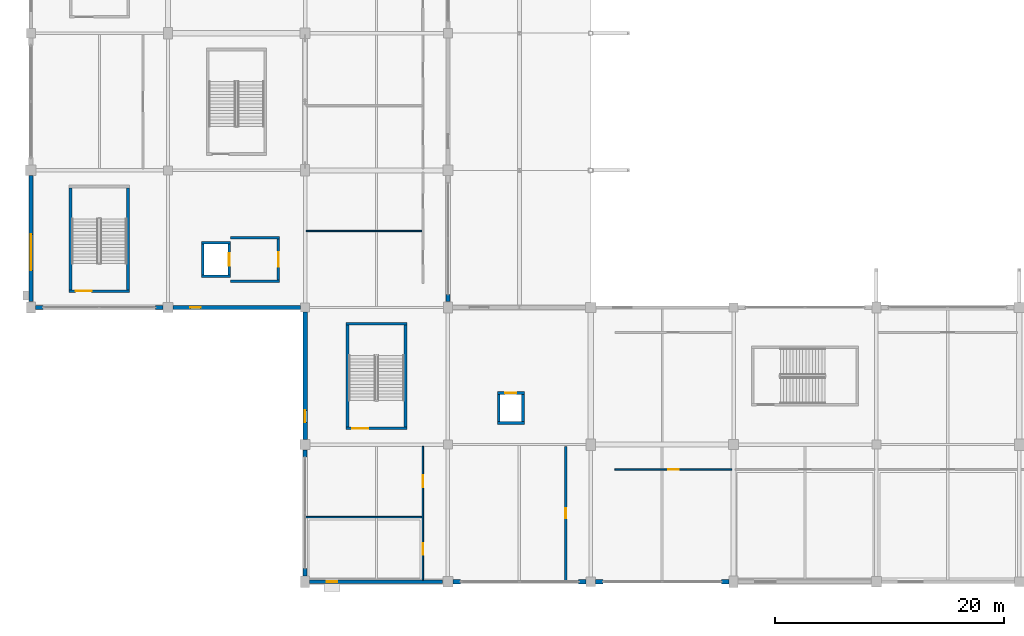
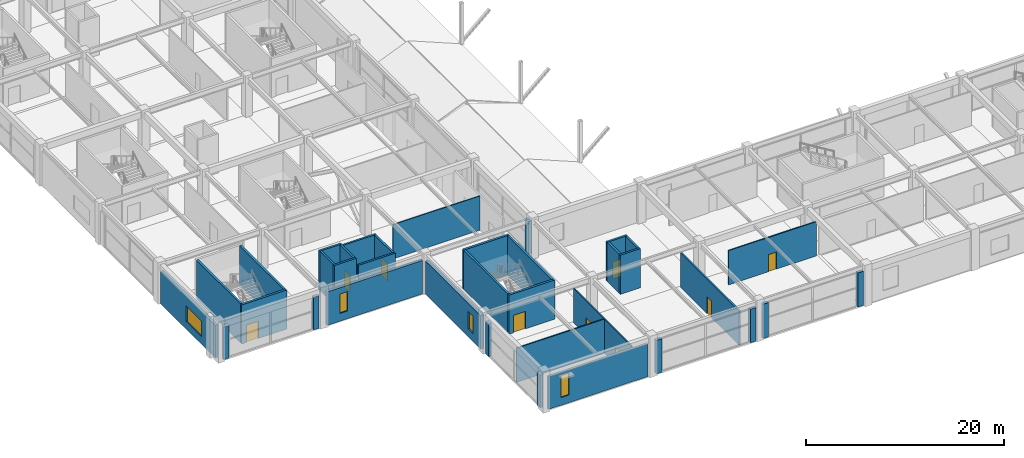
# One storey, part 66 of 116: 36 walls, 9 doors, 4 windows, 13 openings.
"""IFC4 building model written with IfcOpenShell, lengths in metres."""

from ifc_helpers import new_model, si_unit, direction, frame, frame_2d, origin, place, context, subcontext, project, spatial, rectangle, extrude, material, layer, layer_set, type_object, element, fill, save


model = new_model("IFC4")

# Units and contexts
model_context = context("Model", 3, precision=1e-05, world=origin(), true_north=direction((0.0, 1.0)))
body_context = subcontext(model_context, "Body", "Model", "MODEL_VIEW")
ifc_project = project(units=[si_unit("LENGTHUNIT", "METRE"), si_unit("AREAUNIT", "SQUARE_METRE"), si_unit("VOLUMEUNIT", "CUBIC_METRE"), si_unit("PLANEANGLEUNIT", "RADIAN"), si_unit("MASSUNIT", "GRAM", prefix="KILO")], contexts=[model_context])

# Site, building, storey
site_placement = place(None, origin())
site = spatial("IfcSite", under=ifc_project, at=site_placement, CompositionType="ELEMENT")
building_placement = place(site_placement, origin())
building = spatial("IfcBuilding", under=site, at=building_placement, Name="Kazenohara Klinker Stadium", CompositionType="ELEMENT")
storey_placement = place(building_placement, frame((0.0, 0.0, 10.199951171875)))
storey = spatial("IfcBuildingStorey", under=building, at=storey_placement, Name="L02", CompositionType="ELEMENT", Elevation=10.199951171875)

# Walls
ifc_material_1 = material(Name="Concrete C40/50", Category="concrete")
ifc_layer_1 = layer(ifc_material_1, 0.22998046875)
ifc_layer_set_1 = layer_set([ifc_layer_1], Name="Concrete C40/50")
wall_type_1 = type_object("IfcWallType", Name="WAL-CORE-230", PredefinedType="SHEAR", material=ifc_layer_set_1)
for number, where, z_axis, x_axis, name in (
    (1, (14.919921875, 38.735107421875, 0.0), (0.0, 0.0, 1.0), (1.0, 0.0, 0.0), "Elevator shaft wall LF01 L02 South"),
    (2, (14.919921875, 41.6650390625, 0.0), (0.0, 0.0, 1.0), (1.0, 0.0, 0.0), "Elevator shaft wall LF01 L02 North"),
):
    element("IfcWall", number, at=place(storey_placement, frame(where, z_axis=z_axis, x_axis=x_axis)), inside=storey, type_object=wall_type_1, Name=name, PredefinedType="SHEAR", context=body_context, shape_type="SweptSolid", body=[
        extrude(rectangle(XDim=2.56005859375, YDim=0.22998046875, at=frame_2d((1.280029296875, 0.0))), origin(), (0.0, 0.0, 1.0), 4.820068359375),
    ])
wall_1_placement = place(storey_placement, frame((15.034912109375, 38.85009765625, 0.0), z_axis=(0.0, 0.0, 1.0), x_axis=(0.0, 1.0, 0.0)))
element("IfcWall", 3, at=wall_1_placement, inside=storey, type_object=wall_type_1, Name="Elevator shaft wall LF01 L02 West", PredefinedType="SHEAR", context=body_context, shape_type="SweptSolid", body=[
    extrude(rectangle(XDim=2.699951171875, YDim=0.22998046875, at=frame_2d((1.35009765625, 0.0))), origin(), (0.0, 0.0, 1.0), 4.820068359375),
])

# Wall, opening, door
wall_2_placement = place(storey_placement, frame((17.364990234375, 38.85009765625, 0.0), z_axis=(0.0, 0.0, 1.0), x_axis=(0.0, 1.0, 0.0)))
wall_2 = element("IfcWall", 4, at=wall_2_placement, inside=storey, type_object=wall_type_1, Name="Elevator shaft wall LF01 L02 East", PredefinedType="SHEAR", context=body_context, shape_type="SweptSolid", body=[
    extrude(rectangle(XDim=2.699951171875, YDim=0.22998046875, at=frame_2d((1.35009765625, 0.0))), origin(), (0.0, 0.0, 1.0), 4.820068359375),
])
opening_1_placement = place(wall_2_placement, frame((0.800048828125, 0.0, 0.0)))
opening_1 = element("IfcOpeningElement", 5, at=opening_1_placement, cuts=wall_2, Name="Opening LD01", PredefinedType="OPENING", context=body_context, shape_type="SweptSolid", body=[
    extrude(rectangle(XDim=1.10009765625, YDim=2.14990234375, at=frame_2d((0.550048828125, 1.074951171875))), frame((0.0, 0.125, 0.0), z_axis=(0.0, -1.0, 0.0), x_axis=(1.0, 0.0, 0.0)), (0.0, 0.0, 1.0), 0.25),
])
ifc_material_2 = material(Name="Stainless steel fire-rated sliding landing door", Category="steel")
door_type_1 = type_object("IfcDoorType", Name="DR-LD01-1100x2150", OperationType="NOTDEFINED", PredefinedType="DOOR", material=ifc_material_2)
door_1_placement = place(opening_1_placement, origin())
door_1 = element("IfcDoor", 6, at=door_1_placement, inside=storey, type_object=door_type_1, Name="Elevator sliding landing door LF01-L02", OperationType="DOUBLE_DOOR_SLIDING", OverallHeight=2.14990234375, OverallWidth=1.10009765625, PredefinedType="DOOR", context=body_context, shape_type="SweptSolid", body=[
    extrude(rectangle(XDim=1.10009765625, YDim=2.14990234375, at=frame_2d((0.550048828125, 1.074951171875))), frame((0.0, 0.02490234375, 0.0), z_axis=(0.0, -1.0, 0.0), x_axis=(1.0, 0.0, 0.0)), (0.0, 0.0, 1.0), 0.050048828125),
])
fill(opening_1, door_1)

# Wall
wall_3_placement = place(storey_placement, frame((40.820068359375, 25.885009765625, 0.0), z_axis=(0.0, 0.0, 1.0), x_axis=(1.0, 0.0, 0.0)))
element("IfcWall", 7, at=wall_3_placement, inside=storey, type_object=wall_type_1, Name="Elevator shaft wall LP03 L02 South", PredefinedType="SHEAR", context=body_context, shape_type="SweptSolid", body=[
    extrude(rectangle(XDim=2.35986328125, YDim=0.22998046875, at=frame_2d((1.179931640625, 0.0))), origin(), (0.0, 0.0, 1.0), 4.820068359375),
])

# Wall, opening, door
wall_4_placement = place(storey_placement, frame((40.820068359375, 28.514892578125, 0.0), z_axis=(0.0, 0.0, 1.0), x_axis=(1.0, 0.0, 0.0)))
wall_4 = element("IfcWall", 8, at=wall_4_placement, inside=storey, type_object=wall_type_1, Name="Elevator shaft wall LP03 L02 North", PredefinedType="SHEAR", context=body_context, shape_type="SweptSolid", body=[
    extrude(rectangle(XDim=2.35986328125, YDim=0.22998046875, at=frame_2d((1.179931640625, 0.0))), origin(), (0.0, 0.0, 1.0), 4.820068359375),
])
opening_2_placement = place(wall_4_placement, frame((0.679931640625, 0.0, 0.0)))
opening_2 = element("IfcOpeningElement", 9, at=opening_2_placement, cuts=wall_4, Name="Opening LD02", PredefinedType="OPENING", context=body_context, shape_type="SweptSolid", body=[
    extrude(rectangle(XDim=1.0, YDim=2.14990234375, at=frame_2d((0.5, 1.074951171875))), frame((0.0, 0.125, 0.0), z_axis=(0.0, -1.0, 0.0), x_axis=(1.0, 0.0, 0.0)), (0.0, 0.0, 1.0), 0.25),
])
ifc_material_3 = material(Name="Stainless steel sliding landing door", Category="steel")
door_type_2 = type_object("IfcDoorType", Name="DR-LD02-1000x2150", OperationType="NOTDEFINED", PredefinedType="DOOR", material=ifc_material_3)
door_2_placement = place(opening_2_placement, origin())
door_2 = element("IfcDoor", 10, at=door_2_placement, inside=storey, type_object=door_type_2, Name="Elevator sliding landing door LP03-L02", OperationType="DOUBLE_DOOR_SLIDING", OverallHeight=2.14990234375, OverallWidth=1.0, PredefinedType="DOOR", context=body_context, shape_type="SweptSolid", body=[
    extrude(rectangle(XDim=1.0, YDim=2.14990234375, at=frame_2d((0.5, 1.074951171875))), frame((0.0, 0.02490234375, 0.0), z_axis=(0.0, -1.0, 0.0), x_axis=(1.0, 0.0, 0.0)), (0.0, 0.0, 1.0), 0.050048828125),
])
fill(opening_2, door_2)

# Walls
for number, where, z_axis, x_axis, name in (
    (11, (40.93505859375, 26.0, 0.0), (0.0, 0.0, 1.0), (0.0, 1.0, 0.0), "Elevator shaft wall LP03 L02 West"),
    (12, (43.06494140625, 26.0, 0.0), (0.0, 0.0, 1.0), (0.0, 1.0, 0.0), "Elevator shaft wall LP03 L02 East"),
):
    element("IfcWall", number, at=place(storey_placement, frame(where, z_axis=z_axis, x_axis=x_axis)), inside=storey, type_object=wall_type_1, Name=name, PredefinedType="SHEAR", context=body_context, shape_type="SweptSolid", body=[
        extrude(rectangle(XDim=2.39990234375, YDim=0.22998046875, at=frame_2d((1.199951171875, 0.0))), origin(), (0.0, 0.0, 1.0), 4.820068359375),
    ])

# Wall, opening, door
ifc_layer_2 = layer(ifc_material_1, 0.25)
ifc_layer_set_2 = layer_set([ifc_layer_2], Name="Concrete C40/50")
wall_type_2 = type_object("IfcWallType", Name="WAL-CORE-250", PredefinedType="SHEAR", material=ifc_layer_set_2)
wall_5_placement = place(storey_placement, frame((3.360107421875, 37.425048828125, 0.0), z_axis=(0.0, 0.0, 1.0), x_axis=(1.0, 0.0, 0.0)))
wall_5 = element("IfcWall", 13, at=wall_5_placement, inside=storey, type_object=wall_type_2, Name="Stairwell shear wall ST01 L02 South", PredefinedType="SHEAR", context=body_context, shape_type="SweptSolid", body=[
    extrude(rectangle(XDim=5.27978515625, YDim=0.25, at=frame_2d((2.639892578125, 0.0))), origin(), (0.0, 0.0, 1.0), 4.820068359375),
])
opening_3_placement = place(wall_5_placement, frame((0.550048828125, 0.0, 0.0)))
opening_3 = element("IfcOpeningElement", 14, at=opening_3_placement, cuts=wall_5, Name="Opening SD01", PredefinedType="OPENING", context=body_context, shape_type="SweptSolid", body=[
    extrude(rectangle(XDim=1.39990234375, YDim=2.14990234375, at=frame_2d((0.699951171875, 1.074951171875))), frame((0.0, 0.135009765625, 0.0), z_axis=(0.0, -1.0, 0.0), x_axis=(1.0, 0.0, 0.0)), (0.0, 0.0, 1.0), 0.27001953125),
])
ifc_material_4 = material(Name="Flush painted steel fire door leaf", Category="steel")
door_type_3 = type_object("IfcDoorType", Name="DR-STR-1400x2150", OperationType="NOTDEFINED", PredefinedType="DOOR", material=ifc_material_4)
door_3_placement = place(opening_3_placement, origin())
door_3 = element("IfcDoor", 15, at=door_3_placement, inside=storey, type_object=door_type_3, Name="Escape stairwell fire door ST01-L02", OperationType="SINGLE_SWING_RIGHT", OverallHeight=2.14990234375, OverallWidth=1.39990234375, PredefinedType="DOOR", context=body_context, shape_type="SweptSolid", body=[
    extrude(rectangle(XDim=1.39990234375, YDim=2.14990234375, at=frame_2d((0.699951171875, 1.074951171875))), frame((0.0, 0.02490234375, 0.0), z_axis=(0.0, -1.0, 0.0), x_axis=(1.0, 0.0, 0.0)), (0.0, 0.0, 1.0), 0.050048828125),
])
fill(opening_3, door_3)

# Walls
for number, where, z_axis, x_axis, name in (
    (16, (3.485107421875, 37.550048828125, 0.0), (0.0, 0.0, 1.0), (0.0, 1.0, 0.0), "Stairwell shear wall ST01 L02 West"),
    (17, (8.514892578125, 37.550048828125, 0.0), (0.0, 0.0, 1.0), (0.0, 1.0, 0.0), "Stairwell shear wall ST01 L02 East"),
):
    element("IfcWall", number, at=place(storey_placement, frame(where, z_axis=z_axis, x_axis=x_axis)), inside=storey, type_object=wall_type_2, Name=name, PredefinedType="SHEAR", context=body_context, shape_type="SweptSolid", body=[
        extrude(rectangle(XDim=8.89990234375, YDim=0.25, at=frame_2d((4.449951171875, 0.0))), origin(), (0.0, 0.0, 1.0), 4.820068359375),
    ])

# Wall, opening, door
wall_6_placement = place(storey_placement, frame((27.580078125, 25.425048828125, 0.0), z_axis=(0.0, 0.0, 1.0), x_axis=(1.0, 0.0, 0.0)))
wall_6 = element("IfcWall", 18, at=wall_6_placement, inside=storey, type_object=wall_type_2, Name="Stairwell shear wall ST07 L02 South", PredefinedType="SHEAR", context=body_context, shape_type="SweptSolid", body=[
    extrude(rectangle(XDim=5.33984375, YDim=0.25, at=frame_2d((2.669921875, 0.0))), origin(), (0.0, 0.0, 1.0), 4.820068359375),
])
opening_4_placement = place(wall_6_placement, frame((0.550048828125, 0.0, 0.0)))
opening_4 = element("IfcOpeningElement", 19, at=opening_4_placement, cuts=wall_6, Name="Opening SD01", PredefinedType="OPENING", context=body_context, shape_type="SweptSolid", body=[
    extrude(rectangle(XDim=1.39990234375, YDim=2.14990234375, at=frame_2d((0.699951171875, 1.074951171875))), frame((0.0, 0.135009765625, 0.0), z_axis=(0.0, -1.0, 0.0), x_axis=(1.0, 0.0, 0.0)), (0.0, 0.0, 1.0), 0.27001953125),
])
door_4_placement = place(opening_4_placement, origin())
door_4 = element("IfcDoor", 20, at=door_4_placement, inside=storey, type_object=door_type_3, Name="Escape stairwell fire door ST07-L02", OperationType="SINGLE_SWING_RIGHT", OverallHeight=2.14990234375, OverallWidth=1.39990234375, PredefinedType="DOOR", context=body_context, shape_type="SweptSolid", body=[
    extrude(rectangle(XDim=1.39990234375, YDim=2.14990234375, at=frame_2d((0.699951171875, 1.074951171875))), frame((0.0, 0.02490234375, 0.0), z_axis=(0.0, -1.0, 0.0), x_axis=(1.0, 0.0, 0.0)), (0.0, 0.0, 1.0), 0.050048828125),
])
fill(opening_4, door_4)

# Walls
wall_7_placement = place(storey_placement, frame((27.580078125, 34.574951171875, 0.0), z_axis=(0.0, 0.0, 1.0), x_axis=(1.0, 0.0, 0.0)))
element("IfcWall", 21, at=wall_7_placement, inside=storey, type_object=wall_type_2, Name="Stairwell shear wall ST07 L02 North", PredefinedType="SHEAR", context=body_context, shape_type="SweptSolid", body=[
    extrude(rectangle(XDim=5.33984375, YDim=0.25, at=frame_2d((2.669921875, 0.0))), origin(), (0.0, 0.0, 1.0), 4.820068359375),
])
for number, where, z_axis, x_axis, name in (
    (22, (27.705078125, 25.550048828125, 0.0), (0.0, 0.0, 1.0), (0.0, 1.0, 0.0), "Stairwell shear wall ST07 L02 West"),
    (23, (32.794921875, 25.550048828125, 0.0), (0.0, 0.0, 1.0), (0.0, 1.0, 0.0), "Stairwell shear wall ST07 L02 East"),
):
    element("IfcWall", number, at=place(storey_placement, frame(where, z_axis=z_axis, x_axis=x_axis)), inside=storey, type_object=wall_type_2, Name=name, PredefinedType="SHEAR", context=body_context, shape_type="SweptSolid", body=[
        extrude(rectangle(XDim=8.89990234375, YDim=0.25, at=frame_2d((4.449951171875, 0.0))), origin(), (0.0, 0.0, 1.0), 4.820068359375),
    ])

# Wall, opening, window
ifc_material_5 = material(Name="Clinker brick masonry", Category="masonry")
ifc_layer_3 = layer(ifc_material_5, 0.280029296875)
ifc_layer_set_3 = layer_set([ifc_layer_3], Name="Clinker brick masonry")
wall_type_3 = type_object("IfcWallType", Name="WAL-EXT-CB280", PredefinedType="SOLIDWALL", material=ifc_layer_set_3)
wall_8_placement = place(storey_placement, frame((24.404052734375, 12.0, 0.0), z_axis=(0.0, 0.0, 1.0), x_axis=(1.0, 0.0, 0.0)))
wall_8 = element("IfcWall", 24, at=wall_8_placement, inside=storey, type_object=wall_type_3, Name="Clinker brick cavity wall EW06 L02 X2-1", PredefinedType="SOLIDWALL", context=body_context, shape_type="SweptSolid", body=[
    extrude(rectangle(XDim=11.641845703125, YDim=0.280029296875, at=frame_2d((5.82080078125, 0.0))), origin(), (0.0, 0.0, 1.0), 4.02001953125),
])
opening_5_placement = place(wall_8_placement, frame((1.5, 0.0, 0.949951171875)))
opening_5 = element("IfcOpeningElement", 25, at=opening_5_placement, cuts=wall_8, Name="Opening W03", PredefinedType="OPENING", context=body_context, shape_type="SweptSolid", body=[
    extrude(rectangle(XDim=0.89990234375, YDim=2.699951171875, at=frame_2d((0.449951171875, 1.35009765625))), frame((0.0, 0.14990234375, 0.0), z_axis=(0.0, -1.0, 0.0), x_axis=(1.0, 0.0, 0.0)), (0.0, 0.0, 1.0), 0.300048828125),
])
ifc_material_6 = material(Name="Dark bronze aluminium frame and triple glazing", Category="aluminium")
window_type_1 = type_object("IfcWindowType", Name="WIN-AS-03", PartitioningType="SINGLE_PANEL", PredefinedType="WINDOW", material=ifc_material_6)
window_1_placement = place(opening_5_placement, origin())
window_1 = element("IfcWindow", 26, at=window_1_placement, inside=storey, type_object=window_type_1, Name="Horizontal-mullion ladder window W03 L02 X2-1", OverallHeight=2.699951171875, OverallWidth=0.89990234375, PartitioningType="SINGLE_PANEL", PredefinedType="WINDOW", context=body_context, shape_type="SweptSolid", body=[
    extrude(rectangle(XDim=0.89990234375, YDim=2.699951171875, at=frame_2d((0.449951171875, 1.35009765625))), frame((0.0, 0.030029296875, 0.0), z_axis=(0.0, -1.0, 0.0), x_axis=(1.0, 0.0, 0.0)), (0.0, 0.0, 1.0), 0.06005859375),
])
fill(opening_5, window_1)

ifc_layer_4 = layer(ifc_material_5, 0.340087890625)
ifc_layer_set_4 = layer_set([ifc_layer_4], Name="Clinker brick masonry")
wall_type_4 = type_object("IfcWallType", Name="WAL-EXT-CB340", PredefinedType="SOLIDWALL", material=ifc_layer_set_4)
wall_9_placement = place(storey_placement, frame((0.0, 36.50390625, 0.0), z_axis=(0.0, 0.0, 1.0), x_axis=(0.0, 1.0, 0.0)))
wall_9 = element("IfcWall", 27, at=wall_9_placement, inside=storey, type_object=wall_type_4, Name="Clinker brick cavity wall EW04 L02 Y0-3", PredefinedType="SOLIDWALL", context=body_context, shape_type="SweptSolid", body=[
    extrude(rectangle(XDim=11.0419921875, YDim=0.340087890625, at=frame_2d((5.52099609375, 0.0))), origin(), (0.0, 0.0, 1.0), 4.02001953125),
])
opening_6_placement = place(wall_9_placement, frame((2.75, 0.0, 0.949951171875)))
opening_6 = element("IfcOpeningElement", 28, at=opening_6_placement, cuts=wall_9, Name="Opening W32", PredefinedType="OPENING", context=body_context, shape_type="SweptSolid", body=[
    extrude(rectangle(XDim=3.14990234375, YDim=1.89990234375, at=frame_2d((1.574951171875, 0.949951171875))), frame((0.0, 0.18017578125, 0.0), z_axis=(0.0, -1.0, 0.0), x_axis=(1.0, 0.0, 0.0)), (0.0, 0.0, 1.0), 0.360107421875),
])
window_type_2 = type_object("IfcWindowType", Name="WIN-AS-32", PartitioningType="SINGLE_PANEL", PredefinedType="WINDOW", material=ifc_material_6)
window_2_placement = place(opening_6_placement, origin())
window_2 = element("IfcWindow", 29, at=window_2_placement, inside=storey, type_object=window_type_2, Name="Horizontal-mullion ladder window W32 L02 Y0-3", OverallHeight=1.89990234375, OverallWidth=3.14990234375, PartitioningType="SINGLE_PANEL", PredefinedType="WINDOW", context=body_context, shape_type="SweptSolid", body=[
    extrude(rectangle(XDim=3.14990234375, YDim=1.89990234375, at=frame_2d((1.574951171875, 0.949951171875))), frame((0.0, 0.030029296875, 0.0), z_axis=(0.0, -1.0, 0.0), x_axis=(1.0, 0.0, 0.0)), (0.0, 0.0, 1.0), 0.06005859375),
])
fill(opening_6, window_2)

wall_10_placement = place(storey_placement, frame((12.4541015625, 36.0, 0.0), z_axis=(0.0, 0.0, 1.0), x_axis=(1.0, 0.0, 0.0)))
wall_10 = element("IfcWall", 30, at=wall_10_placement, inside=storey, type_object=wall_type_4, Name="Clinker brick cavity wall EW04 L02 X1-3", PredefinedType="SOLIDWALL", context=body_context, shape_type="SweptSolid", body=[
    extrude(rectangle(XDim=11.141845703125, YDim=0.340087890625, at=frame_2d((5.57080078125, 0.0))), origin(), (0.0, 0.0, 1.0), 4.1201171875),
])
opening_7_placement = place(wall_10_placement, frame((1.5, 0.0, 0.949951171875)))
opening_7 = element("IfcOpeningElement", 31, at=opening_7_placement, cuts=wall_10, Name="Opening W02", PredefinedType="OPENING", context=body_context, shape_type="SweptSolid", body=[
    extrude(rectangle(XDim=0.89990234375, YDim=2.39990234375, at=frame_2d((0.449951171875, 1.199951171875))), frame((0.0, 0.18017578125, 0.0), z_axis=(0.0, -1.0, 0.0), x_axis=(1.0, 0.0, 0.0)), (0.0, 0.0, 1.0), 0.360107421875),
])
window_type_3 = type_object("IfcWindowType", Name="WIN-AS-02", PartitioningType="SINGLE_PANEL", PredefinedType="WINDOW", material=ifc_material_6)
window_3_placement = place(opening_7_placement, origin())
window_3 = element("IfcWindow", 32, at=window_3_placement, inside=storey, type_object=window_type_3, Name="Horizontal-mullion ladder window W02 L02 X1-3", OverallHeight=2.39990234375, OverallWidth=0.89990234375, PartitioningType="SINGLE_PANEL", PredefinedType="WINDOW", context=body_context, shape_type="SweptSolid", body=[
    extrude(rectangle(XDim=0.89990234375, YDim=2.39990234375, at=frame_2d((0.449951171875, 1.199951171875))), frame((0.0, 0.030029296875, 0.0), z_axis=(0.0, -1.0, 0.0), x_axis=(1.0, 0.0, 0.0)), (0.0, 0.0, 1.0), 0.06005859375),
])
fill(opening_7, window_3)

# Walls
ifc_layer_5 = layer(ifc_material_5, 0.3701171875)
ifc_layer_set_5 = layer_set([ifc_layer_5], Name="Clinker brick masonry")
wall_type_5 = type_object("IfcWallType", Name="WAL-EXT-CB370", PredefinedType="SOLIDWALL", material=ifc_layer_set_5)
for number, where, z_axis, x_axis, name in (
    (33, (0.404052734375, 36.0, 0.0), (0.0, 0.0, 1.0), (1.0, 0.0, 0.0), "Clinker brick curtain-wall jamb pier L02 X0-3 A"),
    (34, (10.89599609375, 36.0, 0.0), (0.0, 0.0, 1.0), (1.0, 0.0, 0.0), "Clinker brick curtain-wall jamb pier L02 X0-3 B"),
):
    element("IfcWall", number, at=place(storey_placement, frame(where, z_axis=z_axis, x_axis=x_axis)), inside=storey, type_object=wall_type_5, Name=name, PredefinedType="SOLIDWALL", context=body_context, shape_type="SweptSolid", body=[
        extrude(rectangle(XDim=0.64990234375, YDim=0.3701171875, at=frame_2d((0.324951171875, 0.0))), origin(), (0.0, 0.0, 1.0), 4.02001953125),
    ])
wall_11_placement = place(storey_placement, frame((24.0, 12.50390625, 0.0), z_axis=(0.0, 0.0, 1.0), x_axis=(0.0, 1.0, 0.0)))
element("IfcWall", 35, at=wall_11_placement, inside=storey, type_object=wall_type_5, Name="Clinker brick curtain-wall jamb pier L02 Y2-1 A", PredefinedType="SOLIDWALL", context=body_context, shape_type="SweptSolid", body=[
    extrude(rectangle(XDim=0.650146484375, YDim=0.3701171875, at=frame_2d((0.3251953125, 0.0))), origin(), (0.0, 0.0, 1.0), 4.02001953125),
])
wall_12_placement = place(storey_placement, frame((24.0, 22.89599609375, 0.0), z_axis=(0.0, 0.0, 1.0), x_axis=(0.0, 1.0, 0.0)))
element("IfcWall", 36, at=wall_12_placement, inside=storey, type_object=wall_type_5, Name="Clinker brick curtain-wall jamb pier L02 Y2-1 B", PredefinedType="SOLIDWALL", context=body_context, shape_type="SweptSolid", body=[
    extrude(rectangle(XDim=0.64990234375, YDim=0.3701171875, at=frame_2d((0.324951171875, 0.0))), origin(), (0.0, 0.0, 1.0), 4.02001953125),
])
wall_13_placement = place(storey_placement, frame((36.5, 36.50390625, 0.0), z_axis=(0.0, 0.0, 1.0), x_axis=(0.0, 1.0, 0.0)))
element("IfcWall", 37, at=wall_13_placement, inside=storey, type_object=wall_type_5, Name="Clinker brick curtain-wall jamb pier L02 Y3-3 A", PredefinedType="SOLIDWALL", context=body_context, shape_type="SweptSolid", body=[
    extrude(rectangle(XDim=0.650146484375, YDim=0.3701171875, at=frame_2d((0.3251953125, 0.0))), origin(), (0.0, 0.0, 1.0), 4.02001953125),
])
for number, where, z_axis, x_axis, name in (
    (38, (36.9541015625, 12.0, 0.0), (0.0, 0.0, 1.0), (1.0, 0.0, 0.0), "Clinker brick curtain-wall jamb pier L02 X3-1 A"),
    (39, (47.946044921875, 12.0, 0.0), (0.0, 0.0, 1.0), (1.0, 0.0, 0.0), "Clinker brick curtain-wall jamb pier L02 X3-1 B"),
):
    element("IfcWall", number, at=place(storey_placement, frame(where, z_axis=z_axis, x_axis=x_axis)), inside=storey, type_object=wall_type_5, Name=name, PredefinedType="SOLIDWALL", context=body_context, shape_type="SweptSolid", body=[
        extrude(rectangle(XDim=0.64990234375, YDim=0.3701171875, at=frame_2d((0.324951171875, 0.0))), origin(), (0.0, 0.0, 1.0), 4.1201171875),
    ])
for number, where, z_axis, x_axis, name in (
    (40, (49.404052734375, 12.0, 0.0), (0.0, 0.0, 1.0), (1.0, 0.0, 0.0), "Clinker brick curtain-wall jamb pier L02 X4-1 A"),
    (41, (60.446044921875, 12.0, 0.0), (0.0, 0.0, 1.0), (1.0, 0.0, 0.0), "Clinker brick curtain-wall jamb pier L02 X4-1 B"),
):
    element("IfcWall", number, at=place(storey_placement, frame(where, z_axis=z_axis, x_axis=x_axis)), inside=storey, type_object=wall_type_5, Name=name, PredefinedType="SOLIDWALL", context=body_context, shape_type="SweptSolid", body=[
        extrude(rectangle(XDim=0.64990234375, YDim=0.3701171875, at=frame_2d((0.324951171875, 0.0))), origin(), (0.0, 0.0, 1.0), 4.219970703125),
    ])

# Wall, opening, window
ifc_layer_6 = layer(ifc_material_5, 0.409912109375)
ifc_layer_set_6 = layer_set([ifc_layer_6], Name="Clinker brick masonry")
wall_type_6 = type_object("IfcWallType", Name="WAL-EXT-CB410", PredefinedType="SOLIDWALL", material=ifc_layer_set_6)
wall_14_placement = place(storey_placement, frame((24.0, 24.4541015625, 0.0), z_axis=(0.0, 0.0, 1.0), x_axis=(0.0, 1.0, 0.0)))
wall_14 = element("IfcWall", 42, at=wall_14_placement, inside=storey, type_object=wall_type_6, Name="Clinker brick cavity wall EW02 L02 Y2-2", PredefinedType="SOLIDWALL", context=body_context, shape_type="SweptSolid", body=[
    extrude(rectangle(XDim=11.141845703125, YDim=0.409912109375, at=frame_2d((5.57080078125, 0.0))), origin(), (0.0, 0.0, 1.0), 4.1201171875),
])
opening_8_placement = place(wall_14_placement, frame((1.5, 0.0, 0.949951171875)))
opening_8 = element("IfcOpeningElement", 43, at=opening_8_placement, cuts=wall_14, Name="Opening W04", PredefinedType="OPENING", context=body_context, shape_type="SweptSolid", body=[
    extrude(rectangle(XDim=1.050048828125, YDim=2.199951171875, at=frame_2d((0.52490234375, 1.10009765625))), frame((0.0, 0.21484375, 0.0), z_axis=(0.0, -1.0, 0.0), x_axis=(1.0, 0.0, 0.0)), (0.0, 0.0, 1.0), 0.429931640625),
])
window_type_4 = type_object("IfcWindowType", Name="WIN-AS-04", PartitioningType="SINGLE_PANEL", PredefinedType="WINDOW", material=ifc_material_6)
window_4_placement = place(opening_8_placement, origin())
window_4 = element("IfcWindow", 44, at=window_4_placement, inside=storey, type_object=window_type_4, Name="Horizontal-mullion ladder window W04 L02 Y2-2", OverallHeight=2.199951171875, OverallWidth=1.050048828125, PartitioningType="SINGLE_PANEL", PredefinedType="WINDOW", context=body_context, shape_type="SweptSolid", body=[
    extrude(rectangle(XDim=1.050048828125, YDim=2.199951171875, at=frame_2d((0.52490234375, 1.10009765625))), frame((0.0, 0.030029296875, 0.0), z_axis=(0.0, -1.0, 0.0), x_axis=(1.0, 0.0, 0.0)), (0.0, 0.0, 1.0), 0.06005859375),
])
fill(opening_8, window_4)

# Walls
ifc_layer_7 = layer(ifc_material_1, 0.219970703125)
ifc_layer_set_7 = layer_set([ifc_layer_7], Name="Concrete C40/50")
wall_type_7 = type_object("IfcWallType", Name="WAL-INT-FF220", PredefinedType="SOLIDWALL", material=ifc_layer_set_7)
for number, where, z_axis, x_axis, name in (
    (45, (17.47998046875, 38.2900390625, 0.0), (0.0, 0.0, 1.0), (1.0, 0.0, 0.0), "Firefighting lobby wall LF01 L02 South"),
    (46, (17.47998046875, 42.110107421875, 0.0), (0.0, 0.0, 1.0), (1.0, 0.0, 0.0), "Firefighting lobby wall LF01 L02 North"),
):
    element("IfcWall", number, at=place(storey_placement, frame(where, z_axis=z_axis, x_axis=x_axis)), inside=storey, type_object=wall_type_7, Name=name, PredefinedType="SOLIDWALL", context=body_context, shape_type="SweptSolid", body=[
        extrude(rectangle(XDim=4.2900390625, YDim=0.219970703125, at=frame_2d((2.14501953125, 0.0))), origin(), (0.0, 0.0, 1.0), 4.219970703125),
    ])

# Wall, opening, door
wall_15_placement = place(storey_placement, frame((21.659912109375, 38.39990234375, 0.0), z_axis=(0.0, 0.0, 1.0), x_axis=(0.0, 1.0, 0.0)))
wall_15 = element("IfcWall", 47, at=wall_15_placement, inside=storey, type_object=wall_type_7, Name="Firefighting lobby front wall LF01 L02", PredefinedType="SOLIDWALL", context=body_context, shape_type="SweptSolid", body=[
    extrude(rectangle(XDim=3.60009765625, YDim=0.219970703125, at=frame_2d((1.800048828125, 0.0))), origin(), (0.0, 0.0, 1.0), 4.219970703125),
])
opening_9_placement = place(wall_15_placement, frame((1.14990234375, 0.0, 0.0)))
opening_9 = element("IfcOpeningElement", 48, at=opening_9_placement, cuts=wall_15, Name="Opening FD01", PredefinedType="OPENING", context=body_context, shape_type="SweptSolid", body=[
    extrude(rectangle(XDim=1.300048828125, YDim=2.14990234375, at=frame_2d((0.64990234375, 1.074951171875))), frame((0.0, 0.1201171875, 0.0), z_axis=(0.0, -1.0, 0.0), x_axis=(1.0, 0.0, 0.0)), (0.0, 0.0, 1.0), 0.239990234375),
])
ifc_material_7 = material(Name="Smoke-sealed steel fire lobby door", Category="steel")
door_type_4 = type_object("IfcDoorType", Name="DR-FFL-1300x2150", OperationType="NOTDEFINED", PredefinedType="DOOR", material=ifc_material_7)
door_5_placement = place(opening_9_placement, origin())
door_5 = element("IfcDoor", 49, at=door_5_placement, inside=storey, type_object=door_type_4, Name="Firefighting lobby smoke-sealed door LF01-L02", OperationType="SINGLE_SWING_RIGHT", OverallHeight=2.14990234375, OverallWidth=1.300048828125, PredefinedType="DOOR", context=body_context, shape_type="SweptSolid", body=[
    extrude(rectangle(XDim=1.300048828125, YDim=2.14990234375, at=frame_2d((0.64990234375, 1.074951171875))), frame((0.0, 0.02490234375, 0.0), z_axis=(0.0, -1.0, 0.0), x_axis=(1.0, 0.0, 0.0)), (0.0, 0.0, 1.0), 0.050048828125),
])
fill(opening_9, door_5)

# Wall
ifc_material_8 = material(Name="Fire-rated gypsum board on acoustic studs", Category="gypsum")
ifc_layer_8 = layer(ifc_material_8, 0.110107421875)
ifc_layer_set_8 = layer_set([ifc_layer_8], Name="Fire-rated gypsum board on acoustic studs")
wall_type_8 = type_object("IfcWallType", Name="WAL-INT-P110", PredefinedType="PARTITIONING", material=ifc_layer_set_8)
wall_16_placement = place(storey_placement, frame((24.080078125, 42.6884765625, 0.0), z_axis=(0.0, 0.0, 1.0), x_axis=(1.0, 0.0, 0.0)))
element("IfcWall", 50, at=wall_16_placement, inside=storey, type_object=wall_type_8, Name="Interior partition wall PT01 SPC-L02-02-03-1-2", PredefinedType="PARTITIONING", context=body_context, shape_type="SweptSolid", body=[
    extrude(rectangle(XDim=10.1298828125, YDim=0.110107421875, at=frame_2d((5.06494140625, 0.0))), origin(), (0.0, 0.0, 1.0), 4.219970703125),
])

# Wall, openings, doors
ifc_layer_9 = layer(ifc_material_8, 0.1201171875)
ifc_layer_set_9 = layer_set([ifc_layer_9], Name="Fire-rated gypsum board on acoustic studs")
wall_type_9 = type_object("IfcWallType", Name="WAL-INT-P120", PredefinedType="PARTITIONING", material=ifc_layer_set_9)
wall_17_placement = place(storey_placement, frame((34.31005859375, 12.14208984375, 0.0), z_axis=(0.0, 0.0, 1.0), x_axis=(0.0, 1.0, 0.0)))
wall_17 = element("IfcWall", 51, at=wall_17_placement, inside=storey, type_object=wall_type_9, Name="Interior partition wall PT02 SPC-L02-02-01-1-1", PredefinedType="PARTITIONING", context=body_context, shape_type="SweptSolid", body=[
    extrude(rectangle(XDim=11.697998046875, YDim=0.1201171875, at=frame_2d((5.84912109375, 0.0))), origin(), (0.0, 0.0, 1.0), 4.219970703125),
])
opening_10_placement = place(wall_17_placement, frame((2.207763671875, 0.0, 0.0)))
opening_10 = element("IfcOpeningElement", 52, at=opening_10_placement, cuts=wall_17, Name="Opening ID06", PredefinedType="OPENING", context=body_context, shape_type="SweptSolid", body=[
    extrude(rectangle(XDim=1.030029296875, YDim=2.1201171875, at=frame_2d((0.51513671875, 1.06005859375))), frame((0.0, 0.070068359375, 0.0), z_axis=(0.0, -1.0, 0.0), x_axis=(1.0, 0.0, 0.0)), (0.0, 0.0, 1.0), 0.14013671875),
])
opening_11_placement = place(wall_17_placement, frame((8.11279296875, 0.0, 0.0)))
opening_11 = element("IfcOpeningElement", 53, at=opening_11_placement, cuts=wall_17, Name="Opening ID07", PredefinedType="OPENING", context=body_context, shape_type="SweptSolid", body=[
    extrude(rectangle(XDim=1.06005859375, YDim=2.14990234375, at=frame_2d((0.530029296875, 1.074951171875))), frame((0.0, 0.070068359375, 0.0), z_axis=(0.0, -1.0, 0.0), x_axis=(1.0, 0.0, 0.0)), (0.0, 0.0, 1.0), 0.14013671875),
])
ifc_material_9 = material(Name="Solid-core Hokkaido oak fire door", Category="wood")
door_type_5 = type_object("IfcDoorType", Name="DR-INT-06", OperationType="NOTDEFINED", PredefinedType="DOOR", material=ifc_material_9)
door_6_placement = place(opening_10_placement, origin())
door_6 = element("IfcDoor", 54, at=door_6_placement, inside=storey, type_object=door_type_5, Name="Interior door ID06 Club Reception Dining Lounge L02-0201A", OperationType="SINGLE_SWING_LEFT", OverallHeight=2.1201171875, OverallWidth=1.030029296875, PredefinedType="DOOR", context=body_context, shape_type="SweptSolid", body=[
    extrude(rectangle(XDim=1.030029296875, YDim=2.1201171875, at=frame_2d((0.51513671875, 1.06005859375))), frame((0.0, 0.02490234375, 0.0), z_axis=(0.0, -1.0, 0.0), x_axis=(1.0, 0.0, 0.0)), (0.0, 0.0, 1.0), 0.050048828125),
])
fill(opening_10, door_6)
door_type_6 = type_object("IfcDoorType", Name="DR-INT-07", OperationType="NOTDEFINED", PredefinedType="DOOR", material=ifc_material_9)
door_7_placement = place(opening_11_placement, origin())
door_7 = element("IfcDoor", 55, at=door_7_placement, inside=storey, type_object=door_type_6, Name="Interior door ID07 Corporate Hospitality Viewing Suite L02-0201B", OperationType="SINGLE_SWING_RIGHT", OverallHeight=2.14990234375, OverallWidth=1.06005859375, PredefinedType="DOOR", context=body_context, shape_type="SweptSolid", body=[
    extrude(rectangle(XDim=1.06005859375, YDim=2.14990234375, at=frame_2d((0.530029296875, 1.074951171875))), frame((0.0, 0.02490234375, 0.0), z_axis=(0.0, -1.0, 0.0), x_axis=(1.0, 0.0, 0.0)), (0.0, 0.0, 1.0), 0.050048828125),
])
fill(opening_11, door_7)

# Wall
ifc_layer_10 = layer(ifc_material_8, 0.139892578125)
ifc_layer_set_10 = layer_set([ifc_layer_10], Name="Fire-rated gypsum board on acoustic studs")
wall_type_10 = type_object("IfcWallType", Name="WAL-INT-P140", PredefinedType="PARTITIONING", material=ifc_layer_set_10)
wall_18_placement = place(storey_placement, frame((24.02392578125, 17.649658203125, 0.0), z_axis=(0.0, 0.0, 1.0), x_axis=(1.0, 0.0, 0.0)))
element("IfcWall", 56, at=wall_18_placement, inside=storey, type_object=wall_type_10, Name="Interior partition wall PT03 SPC-L02-02-01-1-2", PredefinedType="PARTITIONING", context=body_context, shape_type="SweptSolid", body=[
    extrude(rectangle(XDim=10.22119140625, YDim=0.139892578125, at=frame_2d((5.110595703125, 0.0))), origin(), (0.0, 0.0, 1.0), 4.219970703125),
])

# Wall, opening, door
wall_19_placement = place(storey_placement, frame((51.1201171875, 21.81005859375, 0.0), z_axis=(0.0, 0.0, 1.0), x_axis=(1.0, 0.0, 0.0)))
wall_19 = element("IfcWall", 57, at=wall_19_placement, inside=storey, type_object=wall_type_10, Name="Interior partition wall PT03 SPC-L02-04-01-1-1", PredefinedType="PARTITIONING", context=body_context, shape_type="SweptSolid", body=[
    extrude(rectangle(XDim=10.219970703125, YDim=0.139892578125, at=frame_2d((5.10986328125, 0.0))), origin(), (0.0, 0.0, 1.0), 4.219970703125),
])
opening_12_placement = place(wall_19_placement, frame((5.56982421875, 0.0, 0.0), z_axis=(0.0, 0.0, 1.0), x_axis=(-1.0, 0.0, 0.0)))
opening_12 = element("IfcOpeningElement", 58, at=opening_12_placement, cuts=wall_19, Name="Opening ID02", PredefinedType="OPENING", context=body_context, shape_type="SweptSolid", body=[
    extrude(rectangle(XDim=0.919921875, YDim=2.10009765625, at=frame_2d((0.4599609375, 1.050048828125))), frame((0.0, 0.080078125, 0.0), z_axis=(0.0, -1.0, 0.0), x_axis=(1.0, 0.0, 0.0)), (0.0, 0.0, 1.0), 0.159912109375),
])
door_type_7 = type_object("IfcDoorType", Name="DR-INT-02", OperationType="NOTDEFINED", PredefinedType="DOOR", material=ifc_material_9)
door_8_placement = place(opening_12_placement, origin())
door_8 = element("IfcDoor", 59, at=door_8_placement, inside=storey, type_object=door_type_7, Name="Interior door ID02 Hospitality Culinary Catering Kitchen L02-0401A", OperationType="SINGLE_SWING_LEFT", OverallHeight=2.10009765625, OverallWidth=0.919921875, PredefinedType="DOOR", context=body_context, shape_type="SweptSolid", body=[
    extrude(rectangle(XDim=0.919921875, YDim=2.10009765625, at=frame_2d((0.4599609375, 1.050048828125))), frame((0.0, 0.02490234375, 0.0), z_axis=(0.0, -1.0, 0.0), x_axis=(1.0, 0.0, 0.0)), (0.0, 0.0, 1.0), 0.050048828125),
])
fill(opening_12, door_8)

ifc_layer_11 = layer(ifc_material_8, 0.18994140625)
ifc_layer_set_11 = layer_set([ifc_layer_11], Name="Fire-rated gypsum board on acoustic studs")
wall_type_11 = type_object("IfcWallType", Name="WAL-INT-P190", PredefinedType="PARTITIONING", material=ifc_layer_set_11)
wall_20_placement = place(storey_placement, frame((46.81005859375, 12.02392578125, 0.0), z_axis=(0.0, 0.0, 1.0), x_axis=(0.0, 1.0, 0.0)))
wall_20 = element("IfcWall", 60, at=wall_20_placement, inside=storey, type_object=wall_type_11, Name="Interior partition wall PT06 SPC-L02-03-01-1-1", PredefinedType="PARTITIONING", context=body_context, shape_type="SweptSolid", body=[
    extrude(rectangle(XDim=11.816162109375, YDim=0.18994140625, at=frame_2d((5.908203125, 0.0))), origin(), (0.0, 0.0, 1.0), 4.219970703125),
])
opening_13_placement = place(wall_20_placement, frame((5.52587890625, 0.0, 0.0)))
opening_13 = element("IfcOpeningElement", 61, at=opening_13_placement, cuts=wall_20, Name="Opening ID01", PredefinedType="OPENING", context=body_context, shape_type="SweptSolid", body=[
    extrude(rectangle(XDim=0.89990234375, YDim=2.06005859375, at=frame_2d((0.449951171875, 1.030029296875))), frame((0.0, 0.10498046875, 0.0), z_axis=(0.0, -1.0, 0.0), x_axis=(1.0, 0.0, 0.0)), (0.0, 0.0, 1.0), 0.2099609375),
])
door_type_8 = type_object("IfcDoorType", Name="DR-INT-01", OperationType="NOTDEFINED", PredefinedType="DOOR", material=ifc_material_9)
door_9_placement = place(opening_13_placement, origin())
door_9 = element("IfcDoor", 62, at=door_9_placement, inside=storey, type_object=door_type_8, Name="Interior door ID01 Corporate Hospitality Viewing Suite L02-0301A", OperationType="SINGLE_SWING_RIGHT", OverallHeight=2.06005859375, OverallWidth=0.89990234375, PredefinedType="DOOR", context=body_context, shape_type="SweptSolid", body=[
    extrude(rectangle(XDim=0.89990234375, YDim=2.06005859375, at=frame_2d((0.449951171875, 1.030029296875))), frame((0.0, 0.02490234375, 0.0), z_axis=(0.0, -1.0, 0.0), x_axis=(1.0, 0.0, 0.0)), (0.0, 0.0, 1.0), 0.050048828125),
])
fill(opening_13, door_9)

save(model, "model.ifc")
